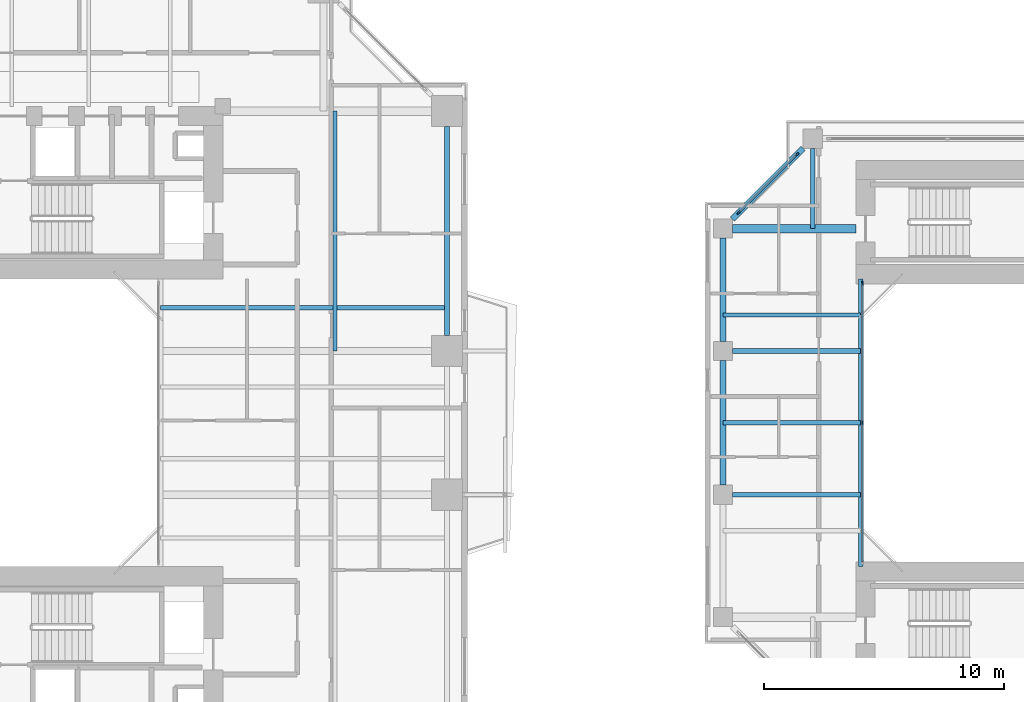
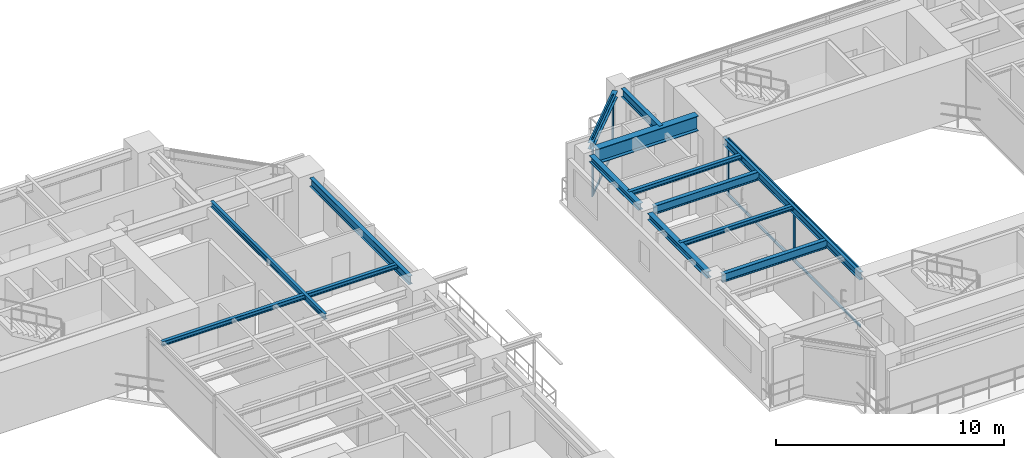
# One storey, part 8 of 24: 13 beams, 10 members, 2 elements without a shape of their own.
"""IFC4 building model written with IfcOpenShell, lengths in metres."""

from ifc_helpers import new_model, si_unit, direction, frame, origin, origin_2d, place, context, subcontext, project, spatial, rectangle, i_section, extrude, source, transform, mapped, material, layer, layer_set, material_profile, profile_set, type_object, element, aggregate, save


model = new_model("IFC4")

# Units and contexts
model_context = context("Model", 3, precision=1e-05, world=origin(), true_north=direction((0.0, 1.0)))
body_context = subcontext(model_context, "Body", "Model", "MODEL_VIEW")
ifc_project = project(units=[si_unit("LENGTHUNIT", "METRE"), si_unit("AREAUNIT", "SQUARE_METRE"), si_unit("VOLUMEUNIT", "CUBIC_METRE"), si_unit("PLANEANGLEUNIT", "RADIAN"), si_unit("MASSUNIT", "GRAM", prefix="KILO"), si_unit("THERMODYNAMICTEMPERATUREUNIT", "KELVIN"), si_unit("POWERUNIT", "WATT")], contexts=[model_context])

# Site, building, storey
site_placement = place(None, origin())
site = spatial("IfcSite", under=ifc_project, at=site_placement, CompositionType="ELEMENT")
building_placement = place(site_placement, origin())
building = spatial("IfcBuilding", under=site, at=building_placement, Name="Qiaomeng Ring Towers", CompositionType="ELEMENT")
storey_placement = place(building_placement, frame((0.0, 0.0, 69.75)))
storey = spatial("IfcBuildingStorey", under=building, at=storey_placement, Name="L19", CompositionType="ELEMENT", Elevation=69.75)

# Beams
ifc_material_1 = material(Name="Steel Q355B", Category="steel")
ifc_material_profile_1 = material_profile(ifc_material_1, i_section(OverallWidth=0.199951171875, OverallDepth=0.449951171875, WebThickness=0.009033203125, FlangeThickness=0.013916015625, FilletRadius=0.01806640625, at=origin_2d()), Name="HN 450x200x9x14")
ifc_profile_set_1 = profile_set([ifc_material_profile_1], Name="Steel Q355B")
beam_type_1 = type_object("IfcBeamType", Name="STR-BM-HN450", PredefinedType="SPANDREL", material=ifc_profile_set_1)
shared_shape_1 = source(origin(), body_context, "Body", "SweptSolid", [
    extrude(i_section(OverallWidth=0.199951171875, OverallDepth=0.449951171875, WebThickness=0.009033203125, FlangeThickness=0.013916015625, FilletRadius=0.01806640625, at=origin_2d()), origin(), (0.0, 0.0, 1.0), 8.7021484375),
])
beam_1_placement = place(storey_placement, frame((37.14990234375, 26.64892578125, 2.844970703125), z_axis=(0.0, 1.0, 0.0), x_axis=(-1.0, 0.0, 0.0)))
element("IfcBeam", 1, at=beam_1_placement, inside=storey, type_object=beam_type_1, Name="L19 beam STR-SP-L19-T1-E3-E4", PredefinedType="SPANDREL", context=body_context, shape_type="MappedRepresentation", body=[
    mapped(shared_shape_1, transform((0.0, 0.0, 0.0), x_axis=(1.0, 0.0, 0.0), y_axis=(0.0, 1.0, 0.0), z_axis=(0.0, 0.0, 1.0), scale=1.0)),
])
ifc_material_profile_2 = material_profile(ifc_material_1, i_section(OverallWidth=0.199951171875, OverallDepth=0.39990234375, WebThickness=0.008056640625, FlangeThickness=0.012939453125, FilletRadius=0.01611328125, at=origin_2d()), Name="HN 400x200x8x13")
ifc_profile_set_2 = profile_set([ifc_material_profile_2], Name="Steel Q355B")
beam_type_2 = type_object("IfcBeamType", Name="STR-BM-HN400", PredefinedType="SPANDREL", material=ifc_profile_set_2)
shared_shape_2 = source(origin(), body_context, "Body", "SweptSolid", [
    extrude(i_section(OverallWidth=0.199951171875, OverallDepth=0.39990234375, WebThickness=0.008056640625, FlangeThickness=0.012939453125, FilletRadius=0.01611328125, at=origin_2d()), origin(), (0.0, 0.0, 1.0), 12.0),
])
beam_2_placement = place(storey_placement, frame((54.39990234375, 17.0, 2.8701171875), z_axis=(0.0, 1.0, 0.0), x_axis=(-1.0, 0.0, 0.0)))
element("IfcBeam", 2, at=beam_2_placement, inside=storey, type_object=beam_type_2, Name="L19 beam STR-BM-L19-T2-WELL-W", PredefinedType="SPANDREL", context=body_context, shape_type="MappedRepresentation", body=[
    mapped(shared_shape_2, transform((0.0, 0.0, 0.0), x_axis=(1.0, 0.0, 0.0), y_axis=(0.0, 1.0, 0.0), z_axis=(0.0, 0.0, 1.0), scale=1.0)),
])
ifc_material_profile_3 = material_profile(ifc_material_1, i_section(OverallWidth=0.175048828125, OverallDepth=0.243896484375, WebThickness=0.007080078125, FlangeThickness=0.010986328125, FilletRadius=0.01611328125, at=origin_2d()), Name="HM 244x175x7x11")
ifc_profile_set_3 = profile_set([ifc_material_profile_3], Name="Steel Q355B")
beam_type_3 = type_object("IfcBeamType", Name="STR-BM-HM244", PredefinedType="JOIST", material=ifc_profile_set_3)
shared_shape_3 = source(origin(), body_context, "Body", "SweptSolid", [
    extrude(i_section(OverallWidth=0.175048828125, OverallDepth=0.243896484375, WebThickness=0.007080078125, FlangeThickness=0.010986328125, FilletRadius=0.01611328125, at=origin_2d()), origin(), (0.0, 0.0, 1.0), 11.949951171875),
])
beam_3_placement = place(storey_placement, frame((25.199951171875, 27.800048828125, 2.947998046875), z_axis=(1.0, 0.0, 0.0), x_axis=(0.0, 1.0, 0.0)))
element("IfcBeam", 3, at=beam_3_placement, inside=storey, type_object=beam_type_3, Name="L19 beam STR-JST-L19-T1E-4", PredefinedType="JOIST", context=body_context, shape_type="MappedRepresentation", body=[
    mapped(shared_shape_3, transform((0.0, 0.0, 0.0), x_axis=(1.0, 0.0, 0.0), y_axis=(0.0, 1.0, 0.0), z_axis=(0.0, 0.0, 1.0), scale=1.0)),
])
ifc_material_profile_4 = material_profile(ifc_material_1, i_section(OverallWidth=0.14990234375, OverallDepth=0.300048828125, WebThickness=0.006591796875, FlangeThickness=0.009033203125, FilletRadius=0.012939453125, at=origin_2d()), Name="HN 300x150x6.5x9")
ifc_profile_set_4 = profile_set([ifc_material_profile_4], Name="Steel Q355B")
beam_type_4 = type_object("IfcBeamType", Name="STR-BM-HN300", PredefinedType="JOIST", material=ifc_profile_set_4)
shared_shape_4 = source(origin(), body_context, "Body", "SweptSolid", [
    extrude(i_section(OverallWidth=0.14990234375, OverallDepth=0.300048828125, WebThickness=0.006591796875, FlangeThickness=0.009033203125, FilletRadius=0.012939453125, at=origin_2d()), origin(), (0.0, 0.0, 1.0), 10.0),
])
beam_4_placement = place(storey_placement, frame((32.47509765625, 26.0, 2.919921875), z_axis=(0.0, 1.0, 0.0), x_axis=(-1.0, 0.0, 0.0)))
element("IfcBeam", 4, at=beam_4_placement, inside=storey, type_object=beam_type_4, Name="L19 beam STR-JST-L19-T1C-EN", PredefinedType="JOIST", context=body_context, shape_type="MappedRepresentation", body=[
    mapped(shared_shape_4, transform((0.0, 0.0, 0.0), x_axis=(1.0, 0.0, 0.0), y_axis=(0.0, 1.0, 0.0), z_axis=(0.0, 0.0, 1.0), scale=1.0)),
])
ifc_material_profile_5 = material_profile(ifc_material_1, i_section(OverallWidth=0.25, OverallDepth=0.340087890625, WebThickness=0.009033203125, FlangeThickness=0.013916015625, FilletRadius=0.02001953125, at=origin_2d()), Name="HM 340x250x9x14")
ifc_profile_set_5 = profile_set([ifc_material_profile_5], Name="Steel Q355B")
beam_type_5 = type_object("IfcBeamType", Name="STR-BM-HM340", PredefinedType="SPANDREL", material=ifc_profile_set_5)
shared_shape_5 = source(origin(), body_context, "Body", "SweptSolid", [
    extrude(i_section(OverallWidth=0.25, OverallDepth=0.340087890625, WebThickness=0.009033203125, FlangeThickness=0.013916015625, FilletRadius=0.02001953125, at=origin_2d()), origin(), (0.0, 0.0, 1.0), 4.173828125),
])
beam_5_placement = place(storey_placement, frame((52.000732421875, 34.45068359375, 2.89990234375), z_axis=(-0.707106781187, -0.707106781187, 0.0), x_axis=(0.707106781187, -0.707106781187, 0.0)))
element("IfcBeam", 5, at=beam_5_placement, inside=storey, type_object=beam_type_5, Name="L19 beam STR-SP-L19-T2-N1-W4", PredefinedType="SPANDREL", context=body_context, shape_type="MappedRepresentation", body=[
    mapped(shared_shape_5, transform((0.0, 0.0, 0.0), x_axis=(1.0, 0.0, 0.0), y_axis=(0.0, 1.0, 0.0), z_axis=(0.0, 0.0, 1.0), scale=1.0)),
])
shared_shape_6 = source(origin(), body_context, "Body", "SweptSolid", [
    extrude(i_section(OverallWidth=0.25, OverallDepth=0.340087890625, WebThickness=0.009033203125, FlangeThickness=0.013916015625, FilletRadius=0.02001953125, at=origin_2d()), origin(), (0.0, 0.0, 1.0), 4.302001953125),
])
beam_6_placement = place(storey_placement, frame((48.64990234375, 30.700927734375, 2.89990234375), z_axis=(0.0, -1.0, 0.0), x_axis=(1.0, 0.0, 0.0)))
element("IfcBeam", 6, at=beam_6_placement, inside=storey, type_object=beam_type_5, Name="L19 beam STR-SP-L19-T2-W4-W3", PredefinedType="SPANDREL", context=body_context, shape_type="MappedRepresentation", body=[
    mapped(shared_shape_6, transform((0.0, 0.0, 0.0), x_axis=(1.0, 0.0, 0.0), y_axis=(0.0, 1.0, 0.0), z_axis=(0.0, 0.0, 1.0), scale=1.0)),
])
shared_shape_7 = source(origin(), body_context, "Body", "SweptSolid", [
    extrude(i_section(OverallWidth=0.25, OverallDepth=0.340087890625, WebThickness=0.009033203125, FlangeThickness=0.013916015625, FilletRadius=0.02001953125, at=origin_2d()), origin(), (0.0, 0.0, 1.0), 5.2021484375),
])
beam_7_placement = place(storey_placement, frame((48.64990234375, 25.60107421875, 2.89990234375), z_axis=(0.0, -1.0, 0.0), x_axis=(1.0, 0.0, 0.0)))
element("IfcBeam", 7, at=beam_7_placement, inside=storey, type_object=beam_type_5, Name="L19 beam STR-SP-L19-T2-W3-W2", PredefinedType="SPANDREL", context=body_context, shape_type="MappedRepresentation", body=[
    mapped(shared_shape_7, transform((0.0, 0.0, 0.0), x_axis=(1.0, 0.0, 0.0), y_axis=(0.0, 1.0, 0.0), z_axis=(0.0, 0.0, 1.0), scale=1.0)),
])
ifc_material_2 = material(Name="Steel Q390GJC", Category="steel")
ifc_material_profile_6 = material_profile(ifc_material_2, i_section(OverallWidth=0.35009765625, OverallDepth=0.800048828125, WebThickness=0.01611328125, FlangeThickness=0.028076171875, at=origin_2d()), Name="WH 800x350x16x28")
ifc_profile_set_6 = profile_set([ifc_material_profile_6], Name="Steel Q390GJC")
beam_type_6 = type_object("IfcBeamType", Name="STR-BM-WH800", PredefinedType="BEAM", material=ifc_profile_set_6)
shared_shape_8 = source(origin(), body_context, "Body", "SweptSolid", [
    extrude(i_section(OverallWidth=0.35009765625, OverallDepth=0.800048828125, WebThickness=0.01611328125, FlangeThickness=0.028076171875, at=origin_2d()), origin(), (0.0, 0.0, 1.0), 5.15087890625),
])
beam_8_placement = place(storey_placement, frame((49.049072265625, 31.10009765625, 2.669921875), z_axis=(1.0, 0.0, 0.0), x_axis=(0.0, 1.0, 0.0)))
element("IfcBeam", 8, at=beam_8_placement, inside=storey, type_object=beam_type_6, Name="L19 beam STR-BM-L19-T2-RAD-W4", PredefinedType="BEAM", context=body_context, shape_type="MappedRepresentation", body=[
    mapped(shared_shape_8, transform((0.0, 0.0, 0.0), x_axis=(1.0, 0.0, 0.0), y_axis=(0.0, 1.0, 0.0), z_axis=(0.0, 0.0, 1.0), scale=1.0)),
])
shared_shape_9 = source(origin(), body_context, "Body", "SweptSolid", [
    extrude(i_section(OverallWidth=0.199951171875, OverallDepth=0.449951171875, WebThickness=0.009033203125, FlangeThickness=0.013916015625, FilletRadius=0.01806640625, at=origin_2d()), origin(), (0.0, 0.0, 1.0), 5.350830078125),
])
for number, where, z_axis, x_axis, name in (
    (9, (49.049072265625, 20.0, 2.844970703125), (1.0, 0.0, 0.0), (0.0, 1.0, 0.0), "L19 beam STR-BM-L19-T2-RAD-W2"),
    (10, (49.049072265625, 26.0, 2.844970703125), (1.0, 0.0, 0.0), (0.0, 1.0, 0.0), "L19 beam STR-BM-L19-T2-RAD-W3"),
):
    element("IfcBeam", number, at=place(storey_placement, frame(where, z_axis=z_axis, x_axis=x_axis)), inside=storey, type_object=beam_type_1, Name=name, PredefinedType="SPANDREL", context=body_context, shape_type="MappedRepresentation", body=[
        mapped(shared_shape_9, transform((0.0, 0.0, 0.0), x_axis=(1.0, 0.0, 0.0), y_axis=(0.0, 1.0, 0.0), z_axis=(0.0, 0.0, 1.0), scale=1.0)),
    ])
shared_shape_10 = source(origin(), body_context, "Body", "SweptSolid", [
    extrude(i_section(OverallWidth=0.199951171875, OverallDepth=0.449951171875, WebThickness=0.009033203125, FlangeThickness=0.013916015625, FilletRadius=0.01806640625, at=origin_2d()), origin(), (0.0, 0.0, 1.0), 3.350830078125),
])
beam_9_placement = place(storey_placement, frame((52.39990234375, 34.450927734375, 2.844970703125), z_axis=(0.0, -1.0, 0.0), x_axis=(1.0, 0.0, 0.0)))
element("IfcBeam", 11, at=beam_9_placement, inside=storey, type_object=beam_type_1, Name="L19 beam STR-BM-L19-T2-RAD-N1", PredefinedType="SPANDREL", context=body_context, shape_type="MappedRepresentation", body=[
    mapped(shared_shape_10, transform((0.0, 0.0, 0.0), x_axis=(1.0, 0.0, 0.0), y_axis=(0.0, 1.0, 0.0), z_axis=(0.0, 0.0, 1.0), scale=1.0)),
])
shared_shape_11 = source(origin(), body_context, "Body", "SweptSolid", [
    extrude(i_section(OverallWidth=0.175048828125, OverallDepth=0.243896484375, WebThickness=0.007080078125, FlangeThickness=0.010986328125, FilletRadius=0.01611328125, at=origin_2d()), origin(), (0.0, 0.0, 1.0), 5.75),
])
for number, where, z_axis, x_axis, name in (
    (12, (48.64990234375, 23.0, 2.947998046875), (1.0, 0.0, 0.0), (0.0, 1.0, 0.0), "L19 beam STR-JST-L19-T2W-2"),
    (13, (48.64990234375, 27.5, 2.947998046875), (1.0, 0.0, 0.0), (0.0, 1.0, 0.0), "L19 beam STR-JST-L19-T2W-3"),
):
    element("IfcBeam", number, at=place(storey_placement, frame(where, z_axis=z_axis, x_axis=x_axis)), inside=storey, type_object=beam_type_3, Name=name, PredefinedType="JOIST", context=body_context, shape_type="MappedRepresentation", body=[
        mapped(shared_shape_11, transform((0.0, 0.0, 0.0), x_axis=(1.0, 0.0, 0.0), y_axis=(0.0, 1.0, 0.0), z_axis=(0.0, 0.0, 1.0), scale=1.0)),
    ])

# Curtain wall, members
ifc_material_3 = material(Name="Fluorocarbon dark-grey aluminium", Category="aluminium")
ifc_layer_1 = layer(ifc_material_3, 0.139892578125, Name="Fluorocarbon dark-grey aluminium")
ifc_layer_set_1 = layer_set([ifc_layer_1], Name="Fluorocarbon dark-grey aluminium")
curtain_wall_type_1 = type_object("IfcCurtainWallType", Name="ARC-CW-4", PredefinedType="NOTDEFINED", material=ifc_layer_set_1)
curtain_wall_1_placement = place(storey_placement, origin())
curtain_wall_1 = element("IfcCurtainWall", 14, at=curtain_wall_1_placement, inside=storey, type_object=curtain_wall_type_1, Name="L19 Curtain Wall CW4", PredefinedType="NOTDEFINED")
ifc_material_profile_7 = material_profile(ifc_material_3, rectangle(XDim=0.06494140625, YDim=0.159912109375, at=origin_2d()), Name="ALU MULL 65x160")
ifc_profile_set_7 = profile_set([ifc_material_profile_7], Name="Fluorocarbon dark-grey aluminium")
member_type_1 = type_object("IfcMemberType", Name="ARC-CWM-140", PredefinedType="MULLION", material=ifc_profile_set_7)
shared_shape_12 = source(origin(), body_context, "Body", "SweptSolid", [
    extrude(rectangle(XDim=0.06494140625, YDim=0.159912109375, at=origin_2d()), origin(), (0.0, 0.0, 1.0), 3.070068359375),
])
member_1_placement = place(storey_placement, frame((54.47998046875, 23.0, 0.0), z_axis=(0.0, 0.0, 1.0), x_axis=(-1.0, 0.0, 0.0)))
member_1 = element("IfcMember", 15, at=member_1_placement, type_object=member_type_1, Name="CW4 mullion 2", PredefinedType="MULLION", context=body_context, shape_type="MappedRepresentation", body=[
    mapped(shared_shape_12, transform((0.0, 0.0, 0.0), x_axis=(1.0, 0.0, 0.0), y_axis=(0.0, 1.0, 0.0), z_axis=(0.0, 0.0, 1.0), scale=1.0)),
])
member_2_placement = place(storey_placement, frame((54.47998046875, 28.8173828125, 0.0), z_axis=(0.0, 0.0, 1.0), x_axis=(-1.0, 0.0, 0.0)))
member_2 = element("IfcMember", 16, at=member_2_placement, type_object=member_type_1, Name="CW4 mullion 3", PredefinedType="MULLION", context=body_context, shape_type="MappedRepresentation", body=[
    mapped(shared_shape_12, transform((0.0, 0.0, 0.0), x_axis=(1.0, 0.0, 0.0), y_axis=(0.0, 1.0, 0.0), z_axis=(0.0, 0.0, 1.0), scale=1.0)),
])
ifc_material_profile_8 = material_profile(ifc_material_3, rectangle(XDim=0.06494140625, YDim=0.1298828125, at=origin_2d()), Name="ALU TRAN 65x130")
ifc_profile_set_8 = profile_set([ifc_material_profile_8], Name="Fluorocarbon dark-grey aluminium")
member_type_2 = type_object("IfcMemberType", Name="ARC-CWT-120", PredefinedType="USERDEFINED", material=ifc_profile_set_8)
shared_shape_13 = source(origin(), body_context, "Body", "SweptSolid", [
    extrude(rectangle(XDim=0.06494140625, YDim=0.1298828125, at=origin_2d()), origin(), (0.0, 0.0, 1.0), 5.75244140625),
])
member_3_placement = place(storey_placement, frame((54.47998046875, 17.215087890625, 0.032470703125), z_axis=(0.0, 1.0, 0.0), x_axis=(-1.0, 0.0, 0.0)))
member_3 = element("IfcMember", 17, at=member_3_placement, type_object=member_type_2, Name="CW4 transom 1.1", ObjectType="TRANSOM", PredefinedType="USERDEFINED", context=body_context, shape_type="MappedRepresentation", body=[
    mapped(shared_shape_13, transform((0.0, 0.0, 0.0), x_axis=(1.0, 0.0, 0.0), y_axis=(0.0, 1.0, 0.0), z_axis=(0.0, 0.0, 1.0), scale=1.0)),
])
member_4_placement = place(storey_placement, frame((54.47998046875, 17.215087890625, 3.03759765625), z_axis=(0.0, 1.0, 0.0), x_axis=(-1.0, 0.0, 0.0)))
member_4 = element("IfcMember", 18, at=member_4_placement, type_object=member_type_2, Name="CW4 transom 1.2", ObjectType="TRANSOM", PredefinedType="USERDEFINED", context=body_context, shape_type="MappedRepresentation", body=[
    mapped(shared_shape_13, transform((0.0, 0.0, 0.0), x_axis=(1.0, 0.0, 0.0), y_axis=(0.0, 1.0, 0.0), z_axis=(0.0, 0.0, 1.0), scale=1.0)),
])
member_5_placement = place(storey_placement, frame((54.47998046875, 23.032470703125, 0.032470703125), z_axis=(0.0, 1.0, 0.0), x_axis=(-1.0, 0.0, 0.0)))
member_5 = element("IfcMember", 19, at=member_5_placement, type_object=member_type_2, Name="CW4 transom 2.1", ObjectType="TRANSOM", PredefinedType="USERDEFINED", context=body_context, shape_type="MappedRepresentation", body=[
    mapped(shared_shape_13, transform((0.0, 0.0, 0.0), x_axis=(1.0, 0.0, 0.0), y_axis=(0.0, 1.0, 0.0), z_axis=(0.0, 0.0, 1.0), scale=1.0)),
])
member_6_placement = place(storey_placement, frame((54.47998046875, 23.032470703125, 3.03759765625), z_axis=(0.0, 1.0, 0.0), x_axis=(-1.0, 0.0, 0.0)))
member_6 = element("IfcMember", 20, at=member_6_placement, type_object=member_type_2, Name="CW4 transom 2.2", ObjectType="TRANSOM", PredefinedType="USERDEFINED", context=body_context, shape_type="MappedRepresentation", body=[
    mapped(shared_shape_13, transform((0.0, 0.0, 0.0), x_axis=(1.0, 0.0, 0.0), y_axis=(0.0, 1.0, 0.0), z_axis=(0.0, 0.0, 1.0), scale=1.0)),
])
aggregate(curtain_wall_1, [member_1, member_2, member_3, member_4, member_5, member_6])

ifc_layer_2 = layer(ifc_material_3, 0.14990234375, Name="Fluorocarbon dark-grey aluminium")
ifc_layer_set_2 = layer_set([ifc_layer_2], Name="Fluorocarbon dark-grey aluminium")
curtain_wall_type_2 = type_object("IfcCurtainWallType", Name="ARC-CW-5", PredefinedType="NOTDEFINED", material=ifc_layer_set_2)
curtain_wall_2_placement = place(storey_placement, origin())
curtain_wall_2 = element("IfcCurtainWall", 21, at=curtain_wall_2_placement, inside=storey, type_object=curtain_wall_type_2, Name="L19 Curtain Wall CW5", PredefinedType="NOTDEFINED")
ifc_material_profile_9 = material_profile(ifc_material_3, rectangle(XDim=0.070068359375, YDim=0.179931640625, at=origin_2d()), Name="ALU MULL 70x180")
ifc_profile_set_9 = profile_set([ifc_material_profile_9], Name="Fluorocarbon dark-grey aluminium")
member_type_3 = type_object("IfcMemberType", Name="ARC-CWM-160", PredefinedType="MULLION", material=ifc_profile_set_9)
shared_shape_14 = source(origin(), body_context, "Body", "SweptSolid", [
    extrude(rectangle(XDim=0.070068359375, YDim=0.179931640625, at=origin_2d()), origin(), (0.0, 0.0, 1.0), 3.070068359375),
])
member_7_placement = place(storey_placement, frame((51.7353515625, 34.185302734375, 0.0), z_axis=(0.0, 0.0, 1.0), x_axis=(0.707106781187, -0.707106781187, 0.0)))
member_7 = element("IfcMember", 22, at=member_7_placement, type_object=member_type_3, Name="CW5 mullion 1", PredefinedType="MULLION", context=body_context, shape_type="MappedRepresentation", body=[
    mapped(shared_shape_14, transform((0.0, 0.0, 0.0), x_axis=(1.0, 0.0, 0.0), y_axis=(0.0, 1.0, 0.0), z_axis=(0.0, 0.0, 1.0), scale=1.0)),
])
member_8_placement = place(storey_placement, frame((49.314697265625, 31.7646484375, 0.0), z_axis=(0.0, 0.0, 1.0), x_axis=(0.707106781187, -0.707106781187, 0.0)))
member_8 = element("IfcMember", 23, at=member_8_placement, type_object=member_type_3, Name="CW5 mullion 2", PredefinedType="MULLION", context=body_context, shape_type="MappedRepresentation", body=[
    mapped(shared_shape_14, transform((0.0, 0.0, 0.0), x_axis=(1.0, 0.0, 0.0), y_axis=(0.0, 1.0, 0.0), z_axis=(0.0, 0.0, 1.0), scale=1.0)),
])
shared_shape_15 = source(origin(), body_context, "Body", "SweptSolid", [
    extrude(rectangle(XDim=0.06494140625, YDim=0.1298828125, at=origin_2d()), origin(), (0.0, 0.0, 1.0), 3.352783203125),
])
member_9_placement = place(storey_placement, frame((51.71044921875, 34.160400390625, 0.032470703125), z_axis=(-0.707106781187, -0.707106781187, 0.0), x_axis=(0.707106781187, -0.707106781187, 0.0)))
member_9 = element("IfcMember", 24, at=member_9_placement, type_object=member_type_2, Name="CW5 transom 1.1", ObjectType="TRANSOM", PredefinedType="USERDEFINED", context=body_context, shape_type="MappedRepresentation", body=[
    mapped(shared_shape_15, transform((0.0, 0.0, 0.0), x_axis=(1.0, 0.0, 0.0), y_axis=(0.0, 1.0, 0.0), z_axis=(0.0, 0.0, 1.0), scale=1.0)),
])
member_10_placement = place(storey_placement, frame((51.71044921875, 34.160400390625, 3.03759765625), z_axis=(-0.707106781187, -0.707106781187, 0.0), x_axis=(0.707106781187, -0.707106781187, 0.0)))
member_10 = element("IfcMember", 25, at=member_10_placement, type_object=member_type_2, Name="CW5 transom 1.2", ObjectType="TRANSOM", PredefinedType="USERDEFINED", context=body_context, shape_type="MappedRepresentation", body=[
    mapped(shared_shape_15, transform((0.0, 0.0, 0.0), x_axis=(1.0, 0.0, 0.0), y_axis=(0.0, 1.0, 0.0), z_axis=(0.0, 0.0, 1.0), scale=1.0)),
])
aggregate(curtain_wall_2, [member_7, member_8, member_9, member_10])

save(model, "model.ifc")
